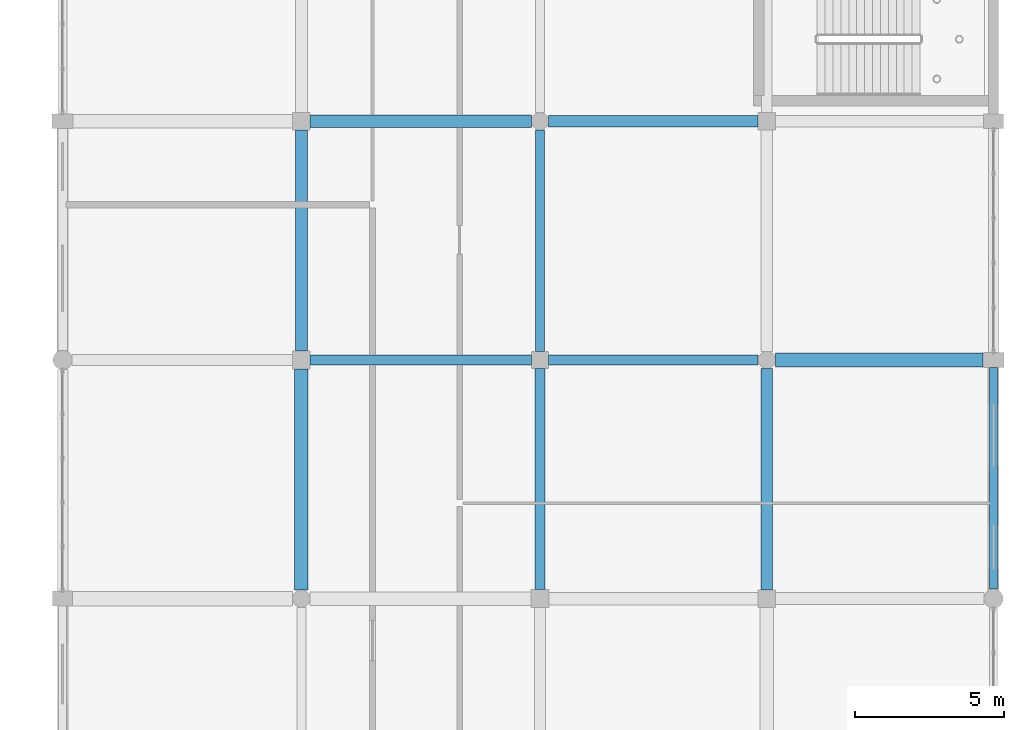
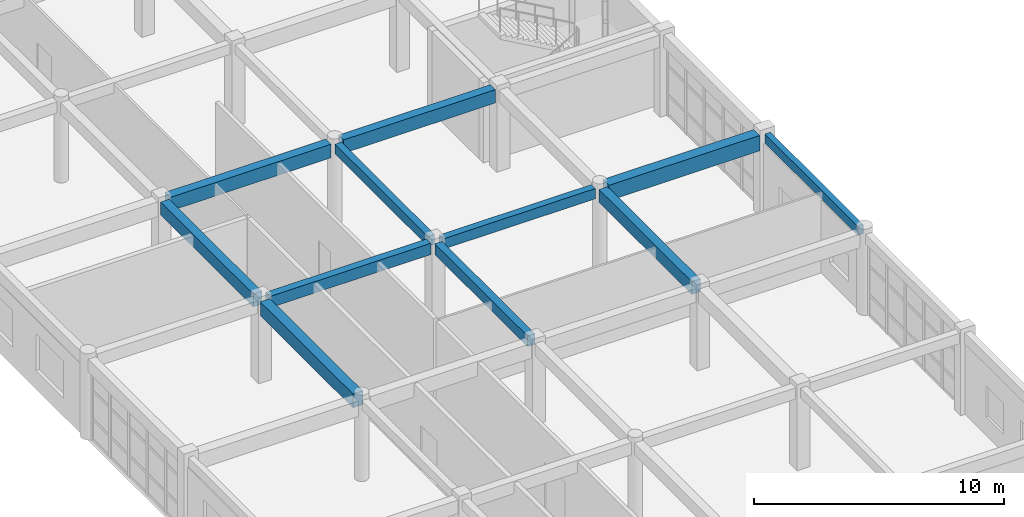
# One storey, part 22 of 53: 11 beams.
"""IFC4 building model written with IfcOpenShell, lengths in metres."""

import ifcopenshell
import ifcopenshell.guid

model = None  # the IFC model being written
_history = None  # IfcOwnerHistory: only IFC2X3 demands one
_inside = {}  # id of a spatial element -> (the spatial element, [elements in it])
_under = {}  # id of a project, library or spatial element -> (it, [spatial elements below it])
_declared = {}  # id of a project -> (the project, [libraries it declares])
_typed = {}  # id of a type object -> (the type object, [elements of that type])
_made_of = {}  # id of a material, layer set ... -> (it, [elements and type objects made of it])


def new_model(schema):
    """Start an empty IFC model of exactly this schema.

    Asked for "IFC4X3", IfcOpenShell would pick the latest addendum, in which some entities
    have other attributes; the version numbers below select the first issue.
    IFC2X3 requires an IfcOwnerHistory on every rooted entity: one is made here for all.
    """
    global model, _history
    if schema == "IFC4X3":
        model = ifcopenshell.file(schema_version=(4, 3, 0, 0))
    else:
        model = ifcopenshell.file(schema=schema)
    _inside.clear()
    _under.clear()
    _declared.clear()
    _typed.clear()
    _made_of.clear()
    _history = None
    if model.schema == "IFC2X3":
        org = make("IfcOrganization", Name="unknown")
        user = make(
            "IfcPersonAndOrganization",
            ThePerson=make("IfcPerson", FamilyName="unknown"),
            TheOrganization=org,
        )
        app = make(
            "IfcApplication",
            ApplicationDeveloper=org,
            Version="unknown",
            ApplicationFullName="unknown",
            ApplicationIdentifier="unknown",
        )
        _history = make(
            "IfcOwnerHistory",
            OwningUser=user,
            OwningApplication=app,
            ChangeAction="ADDED",
            CreationDate=0,
        )
    return model


def make(cls, **values):
    """One entity of the class cls with the attributes given. An attribute that is None is left unset."""
    return model.create_entity(
        cls, **{name: value for name, value in values.items() if value is not None}
    )


def rooted(cls, **values):
    """An entity with a GlobalId (a new one), such as an element, a storey or a relation."""
    return make(cls, GlobalId=ifcopenshell.guid.new(), OwnerHistory=_history, **values)


def si_unit(unit_type, name, prefix=None):
    """IfcSIUnit, for example si_unit("LENGTHUNIT", "METRE", prefix="MILLI")."""
    return make("IfcSIUnit", UnitType=unit_type, Prefix=prefix, Name=name)


def assignment(units):
    """IfcUnitAssignment: the units of a project."""
    return None if units is None else make("IfcUnitAssignment", Units=units)


def point(xyz):
    """IfcCartesianPoint."""
    return None if xyz is None else make("IfcCartesianPoint", Coordinates=xyz)


def direction(xyz):
    """IfcDirection."""
    return None if xyz is None else make("IfcDirection", DirectionRatios=xyz)


def frame(location, z_axis=None, x_axis=None):
    """IfcAxis2Placement3D, a coordinate frame: its origin and axes. An axis left out is left unset."""
    return make(
        "IfcAxis2Placement3D",
        Location=point(location),
        Axis=direction(z_axis),
        RefDirection=direction(x_axis),
    )


def frame_2d(location, x_axis=None):
    """IfcAxis2Placement2D, a coordinate frame in the plane: its origin and x axis."""
    return make(
        "IfcAxis2Placement2D", Location=point(location), RefDirection=direction(x_axis)
    )


def origin():
    """The frame at (0, 0, 0) with its axes left unset."""
    return frame((0.0, 0.0, 0.0))


def origin_2d():
    """The frame at (0, 0) in the plane with its x axis left unset."""
    return frame_2d((0.0, 0.0))


def place(relative_to, where):
    """IfcLocalPlacement: puts the frame where relative to a parent placement (None: the world)."""
    return make(
        "IfcLocalPlacement", PlacementRelTo=relative_to, RelativePlacement=where
    )


def context(
    kind, dimensions, precision=None, world=None, true_north=None, identifier=None
):
    """IfcGeometricRepresentationContext, for example the 3D "Model" context."""
    return make(
        "IfcGeometricRepresentationContext",
        ContextIdentifier=identifier,
        ContextType=kind,
        CoordinateSpaceDimension=dimensions,
        Precision=precision,
        WorldCoordinateSystem=world,
        TrueNorth=true_north,
    )


def subcontext(parent, identifier, kind, view, scale=None):
    """IfcGeometricRepresentationSubContext, for example "Body" below "Model"."""
    return make(
        "IfcGeometricRepresentationSubContext",
        ContextIdentifier=identifier,
        ContextType=kind,
        ParentContext=parent,
        TargetScale=scale,
        TargetView=view,
    )


def project(units=None, contexts=None):
    """IfcProject with its units and contexts."""
    return rooted(
        "IfcProject",
        Name="project",
        RepresentationContexts=contexts,
        UnitsInContext=assignment(units),
    )


def spatial(cls, under=None, at=None, **own):
    """A site, building, storey or space (cls), placed at a placement, below another one or the project."""
    s = rooted(cls, ObjectPlacement=at, **own)
    if under is not None:
        _under.setdefault(under.id(), (under, []))[1].append(s)
    return s


def profile(cls, at=None, kind="AREA", **sizes):
    """A parametric profile (cls). Its sizes go by their IFC names, for example OverallWidth=200.0."""
    return make(cls, ProfileType=kind, Position=at, **sizes)


def rectangle(**sizes):
    """IfcRectangleProfileDef."""
    return profile("IfcRectangleProfileDef", **sizes)


def extrude(swept, where, along, depth):
    """IfcExtrudedAreaSolid: the profile swept, set in the frame where, extruded along a direction by depth."""
    return make(
        "IfcExtrudedAreaSolid",
        SweptArea=swept,
        Position=where,
        ExtrudedDirection=direction(along),
        Depth=depth,
    )


def shape(context_of_items, identifier, shape_type, items):
    """IfcShapeRepresentation: the items that make up one representation, for example the "Body"."""
    return make(
        "IfcShapeRepresentation",
        ContextOfItems=context_of_items,
        RepresentationIdentifier=identifier,
        RepresentationType=shape_type,
        Items=items,
    )


def material(Name=None, Category=None):
    """IfcMaterial."""
    return make("IfcMaterial", Name=Name, Category=Category)


def material_profile(
    of_material, cross_section, Name=None, Category=None, Priority=None
):
    """IfcMaterialProfile: a cross section and its material."""
    return make(
        "IfcMaterialProfile",
        Name=Name,
        Material=of_material,
        Profile=cross_section,
        Priority=Priority,
        Category=Category,
    )


def profile_set(profiles, Name=None, composite=None):
    """IfcMaterialProfileSet."""
    return make(
        "IfcMaterialProfileSet",
        Name=Name,
        MaterialProfiles=profiles,
        CompositeProfile=composite,
    )


def made_of(thing, what):
    """Note that an element or type object is made of a material, layer set ...; save() writes the relation."""
    if what is not None:
        _made_of.setdefault(what.id(), (what, []))[1].append(thing)
    return thing


def type_object(cls, material=None, **own):
    """A type object (cls), such as IfcWallType, which elements share."""
    return made_of(rooted(cls, **own), material)


def element(
    cls,
    number,
    at=None,
    inside=None,
    cuts=None,
    type_object=None,
    material=None,
    context=None,
    identifier="Body",
    shape_type=None,
    held_by="IfcProductDefinitionShape",
    body=None,
    shapes=None,
    **own,
):
    """One element of the class cls, such as IfcWall. Its Tag is "e" and its number.

    at: its placement. inside: the storey or other place that contains it. cuts: it is an
    opening in that element (IfcRelVoidsElement). A single representation is given by context,
    identifier, shape_type and body (its items); several are given by shapes. held_by: the class
    of the entity that holds the representations. save() writes the other relations.
    """
    e = rooted(cls, Tag="e%d" % number, ObjectPlacement=at, **own)
    if body is not None:
        shapes = [shape(context, identifier, shape_type, body)]
    if shapes is not None:
        e.Representation = make(held_by, Representations=shapes)
    if inside is not None:
        _inside.setdefault(inside.id(), (inside, []))[1].append(e)
    if cuts is not None:
        rooted(
            "IfcRelVoidsElement", RelatingBuildingElement=cuts, RelatedOpeningElement=e
        )
    if type_object is not None:
        _typed.setdefault(type_object.id(), (type_object, []))[1].append(e)
    return made_of(e, material)


def aggregate(whole, parts):
    """IfcRelAggregates: a whole, such as a stair, and the parts it consists of."""
    return rooted("IfcRelAggregates", RelatingObject=whole, RelatedObjects=parts)


def save(model, path):
    """Write the relations noted so far, then the file.

    IfcRelAggregates (storeys below a building ...), IfcRelContainedInSpatialStructure (elements
    in a storey), IfcRelDefinesByType, IfcRelAssociatesMaterial and IfcRelDeclares: one each for
    every whole, place, type object, material and project.
    """
    for whole, parts in _under.values():
        aggregate(whole, parts)
    for where, things in _inside.values():
        rooted(
            "IfcRelContainedInSpatialStructure",
            RelatedElements=things,
            RelatingStructure=where,
        )
    for kind, things in _typed.values():
        rooted("IfcRelDefinesByType", RelatedObjects=things, RelatingType=kind)
    for what, things in _made_of.values():
        rooted("IfcRelAssociatesMaterial", RelatedObjects=things, RelatingMaterial=what)
    for by, libraries in _declared.values():
        rooted("IfcRelDeclares", RelatingContext=by, RelatedDefinitions=libraries)
    model.write(path)


model = new_model("IFC4")

# Units and contexts
model_context = context("Model", 3, precision=1e-05, world=origin(), true_north=direction((0.0, 1.0)))
body_context = subcontext(model_context, "Body", "Model", "MODEL_VIEW")
ifc_project = project(units=[si_unit("LENGTHUNIT", "METRE"), si_unit("AREAUNIT", "SQUARE_METRE"), si_unit("VOLUMEUNIT", "CUBIC_METRE"), si_unit("PLANEANGLEUNIT", "RADIAN"), si_unit("MASSUNIT", "GRAM", prefix="KILO")], contexts=[model_context])

# Site, building, storey
site_placement = place(None, origin())
site = spatial("IfcSite", under=ifc_project, at=site_placement, CompositionType="ELEMENT")
building_placement = place(site_placement, origin())
building = spatial("IfcBuilding", under=site, at=building_placement, Name="Kharva Crest Polytechnic", CompositionType="ELEMENT")
storey_placement = place(building_placement, frame((0.0, 0.0, 17.39990234375)))
storey = spatial("IfcBuildingStorey", under=building, at=storey_placement, Name="L04", CompositionType="ELEMENT", Elevation=17.39990234375)

# Beams
ifc_material = material(Name="Concrete C35/45", Category="concrete")
ifc_material_profile_1 = material_profile(ifc_material, rectangle(XDim=0.300048828125, YDim=0.47998046875, at=origin_2d()), Name="RECT 300 X 480")
ifc_profile_set_1 = profile_set([ifc_material_profile_1], Name="Concrete C35/45")
beam_type_1 = type_object("IfcBeamType", Name="BM-RC-300X480", PredefinedType="BEAM", material=ifc_profile_set_1)
beam_1_placement = place(storey_placement, frame((168.800048828125, 63.090087890625, 3.72998046875), z_axis=(0.0, 1.0, 0.0), x_axis=(-1.0, 0.0, 0.0)))
element("IfcBeam", 1, at=beam_1_placement, inside=storey, type_object=beam_type_1, Name="L04 Girder 22/J-K", PredefinedType="BEAM", context=body_context, shape_type="SweptSolid", body=[
    extrude(rectangle(XDim=0.300048828125, YDim=0.47998046875, at=origin_2d()), origin(), (0.0, 0.0, 1.0), 7.419921875),
])
ifc_material_profile_2 = material_profile(ifc_material, rectangle(XDim=0.320068359375, YDim=0.5, at=origin_2d()), Name="RECT 320 X 500")
ifc_profile_set_2 = profile_set([ifc_material_profile_2], Name="Concrete C35/45")
beam_type_2 = type_object("IfcBeamType", Name="BM-RC-320X500", PredefinedType="BEAM", material=ifc_profile_set_2)
beam_2_placement = place(storey_placement, frame((169.090087890625, 62.800048828125, 3.72021484375), z_axis=(1.0, 0.0, 0.0), x_axis=(0.0, 1.0, 0.0)))
element("IfcBeam", 2, at=beam_2_placement, inside=storey, type_object=beam_type_2, Name="L04 Beam J/22-23", PredefinedType="BEAM", context=body_context, shape_type="SweptSolid", body=[
    extrude(rectangle(XDim=0.320068359375, YDim=0.5, at=origin_2d()), origin(), (0.0, 0.0, 1.0), 7.02001953125),
])
ifc_material_profile_3 = material_profile(ifc_material, rectangle(XDim=0.340087890625, YDim=0.52001953125, at=origin_2d()), Name="RECT 340 X 520")
ifc_profile_set_3 = profile_set([ifc_material_profile_3], Name="Concrete C35/45")
beam_type_3 = type_object("IfcBeamType", Name="BM-RC-340X520", PredefinedType="BEAM", material=ifc_profile_set_3)
beam_3_placement = place(storey_placement, frame((168.800048828125, 55.10009765625, 3.710205078125), z_axis=(0.0, 1.0, 0.0), x_axis=(-1.0, 0.0, 0.0)))
element("IfcBeam", 3, at=beam_3_placement, inside=storey, type_object=beam_type_3, Name="L04 Girder 22/H-J", PredefinedType="BEAM", context=body_context, shape_type="SweptSolid", body=[
    extrude(rectangle(XDim=0.340087890625, YDim=0.52001953125, at=origin_2d()), origin(), (0.0, 0.0, 1.0), 7.409912109375),
])
ifc_material_profile_4 = material_profile(ifc_material, rectangle(XDim=0.35009765625, YDim=0.550048828125, at=origin_2d()), Name="RECT 350 X 550")
ifc_profile_set_4 = profile_set([ifc_material_profile_4], Name="Concrete C35/45")
beam_type_4 = type_object("IfcBeamType", Name="BM-RC-350X550", PredefinedType="BEAM", material=ifc_profile_set_4)
beam_4_placement = place(storey_placement, frame((161.10009765625, 62.800048828125, 3.695068359375), z_axis=(1.0, 0.0, 0.0), x_axis=(0.0, 1.0, 0.0)))
element("IfcBeam", 4, at=beam_4_placement, inside=storey, type_object=beam_type_4, Name="L04 Beam J/21-22", PredefinedType="BEAM", context=body_context, shape_type="SweptSolid", body=[
    extrude(rectangle(XDim=0.35009765625, YDim=0.550048828125, at=origin_2d()), origin(), (0.0, 0.0, 1.0), 7.409912109375),
])
ifc_material_profile_5 = material_profile(ifc_material, rectangle(XDim=0.39990234375, YDim=0.6201171875, at=origin_2d()), Name="RECT 400 X 620")
ifc_profile_set_5 = profile_set([ifc_material_profile_5], Name="Concrete C35/45")
beam_type_5 = type_object("IfcBeamType", Name="BM-RC-400X620", PredefinedType="BEAM", material=ifc_profile_set_5)
beam_5_placement = place(storey_placement, frame((160.800048828125, 63.10009765625, 3.66015625), z_axis=(0.0, 1.0, 0.0), x_axis=(-1.0, 0.0, 0.0)))
element("IfcBeam", 5, at=beam_5_placement, inside=storey, type_object=beam_type_5, Name="L04 Girder 21/J-K", PredefinedType="BEAM", context=body_context, shape_type="SweptSolid", body=[
    extrude(rectangle(XDim=0.39990234375, YDim=0.6201171875, at=origin_2d()), origin(), (0.0, 0.0, 1.0), 7.409912109375),
])
beam_6_placement = place(storey_placement, frame((176.39990234375, 55.090087890625, 3.66015625), z_axis=(0.0, 1.0, 0.0), x_axis=(-1.0, 0.0, 0.0)))
element("IfcBeam", 6, at=beam_6_placement, inside=storey, type_object=beam_type_5, Name="L04 Girder 23/H-J", PredefinedType="BEAM", context=body_context, shape_type="SweptSolid", body=[
    extrude(rectangle(XDim=0.39990234375, YDim=0.6201171875, at=origin_2d()), origin(), (0.0, 0.0, 1.0), 7.419921875),
])
ifc_material_profile_6 = material_profile(ifc_material, rectangle(XDim=0.39990234375, YDim=0.64990234375, at=origin_2d()), Name="RECT 400 X 650")
ifc_profile_set_6 = profile_set([ifc_material_profile_6], Name="Concrete C35/45")
beam_type_6 = type_object("IfcBeamType", Name="BM-RC-400X650", PredefinedType="BEAM", material=ifc_profile_set_6)
beam_7_placement = place(storey_placement, frame((169.090087890625, 70.800048828125, 3.64501953125), z_axis=(1.0, 0.0, 0.0), x_axis=(0.0, 1.0, 0.0)))
element("IfcBeam", 7, at=beam_7_placement, inside=storey, type_object=beam_type_6, Name="L04 Beam K/22-23", PredefinedType="BEAM", context=body_context, shape_type="SweptSolid", body=[
    extrude(rectangle(XDim=0.39990234375, YDim=0.64990234375, at=origin_2d()), origin(), (0.0, 0.0, 1.0), 7.010009765625),
])
ifc_material_profile_7 = material_profile(ifc_material, rectangle(XDim=0.419921875, YDim=0.659912109375, at=origin_2d()), Name="RECT 420 X 660")
ifc_profile_set_7 = profile_set([ifc_material_profile_7], Name="Concrete C35/45")
beam_type_7 = type_object("IfcBeamType", Name="BM-RC-420X660", PredefinedType="BEAM", material=ifc_profile_set_7)
beam_8_placement = place(storey_placement, frame((161.090087890625, 70.800048828125, 3.64013671875), z_axis=(1.0, 0.0, 0.0), x_axis=(0.0, 1.0, 0.0)))
element("IfcBeam", 8, at=beam_8_placement, inside=storey, type_object=beam_type_7, Name="L04 Beam K/21-22", PredefinedType="BEAM", context=body_context, shape_type="SweptSolid", body=[
    extrude(rectangle(XDim=0.419921875, YDim=0.659912109375, at=origin_2d()), origin(), (0.0, 0.0, 1.0), 7.419921875),
])
ifc_material_profile_8 = material_profile(ifc_material, rectangle(XDim=0.449951171875, YDim=0.679931640625, at=origin_2d()), Name="RECT 450 X 680")
ifc_profile_set_8 = profile_set([ifc_material_profile_8], Name="Concrete C35/45")
beam_type_8 = type_object("IfcBeamType", Name="BM-RC-450X680", PredefinedType="BEAM", material=ifc_profile_set_8)
beam_9_placement = place(storey_placement, frame((160.800048828125, 55.090087890625, 3.630126953125), z_axis=(0.0, 1.0, 0.0), x_axis=(-1.0, 0.0, 0.0)))
element("IfcBeam", 9, at=beam_9_placement, inside=storey, type_object=beam_type_8, Name="L04 Girder 21/H-J", PredefinedType="BEAM", context=body_context, shape_type="SweptSolid", body=[
    extrude(rectangle(XDim=0.449951171875, YDim=0.679931640625, at=origin_2d()), origin(), (0.0, 0.0, 1.0), 7.409912109375),
])
ifc_material_profile_9 = material_profile(ifc_material, rectangle(XDim=0.47998046875, YDim=0.75, at=origin_2d()), Name="RECT 480 X 750")
ifc_profile_set_9 = profile_set([ifc_material_profile_9], Name="Concrete C35/45")
beam_type_9 = type_object("IfcBeamType", Name="BM-RC-480X750", PredefinedType="BEAM", material=ifc_profile_set_9)
beam_10_placement = place(storey_placement, frame((176.68994140625, 62.800048828125, 3.59521484375), z_axis=(1.0, 0.0, 0.0), x_axis=(0.0, 1.0, 0.0)))
element("IfcBeam", 10, at=beam_10_placement, inside=storey, type_object=beam_type_9, Name="L04 Beam J/23-24", PredefinedType="BEAM", context=body_context, shape_type="SweptSolid", body=[
    extrude(rectangle(XDim=0.47998046875, YDim=0.75, at=origin_2d()), origin(), (0.0, 0.0, 1.0), 6.9599609375),
])
ifc_material_profile_10 = material_profile(ifc_material, rectangle(XDim=0.260009765625, YDim=0.43994140625, at=origin_2d()), Name="RECT 260 X 440")
ifc_profile_set_10 = profile_set([ifc_material_profile_10], Name="Concrete C35/45")
beam_type_10 = type_object("IfcBeamType", Name="SP-RC-260X440", PredefinedType="SPANDREL", material=ifc_profile_set_10)
beam_11_placement = place(storey_placement, frame((184.0, 55.1201171875, 3.75), z_axis=(0.0, 1.0, 0.0), x_axis=(-1.0, 0.0, 0.0)))
element("IfcBeam", 11, at=beam_11_placement, inside=storey, type_object=beam_type_10, Name="L04 Girder 24/H-J", PredefinedType="SPANDREL", context=body_context, shape_type="SweptSolid", body=[
    extrude(rectangle(XDim=0.260009765625, YDim=0.43994140625, at=origin_2d()), origin(), (0.0, 0.0, 1.0), 7.429931640625),
])

save(model, "model.ifc")
